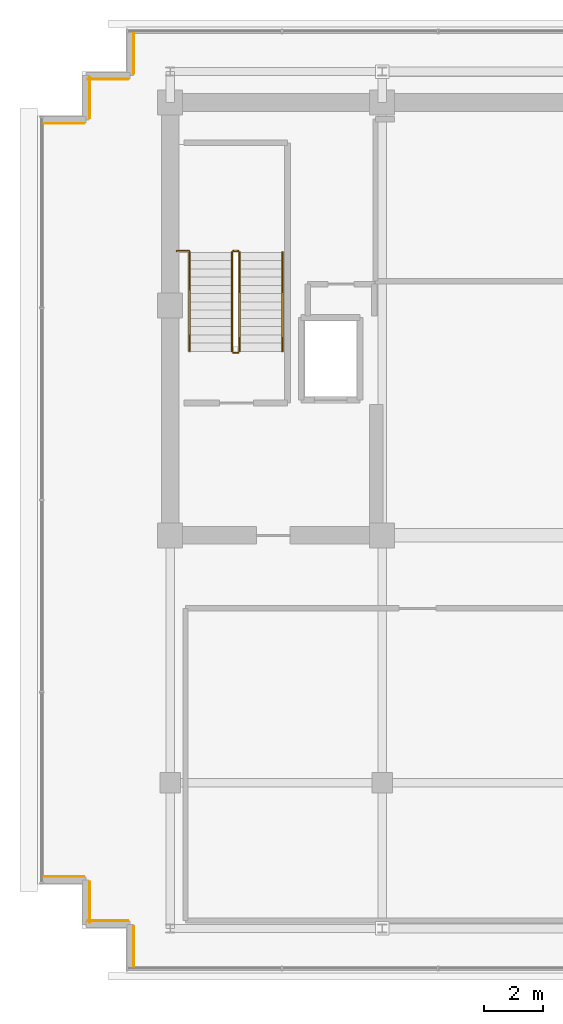
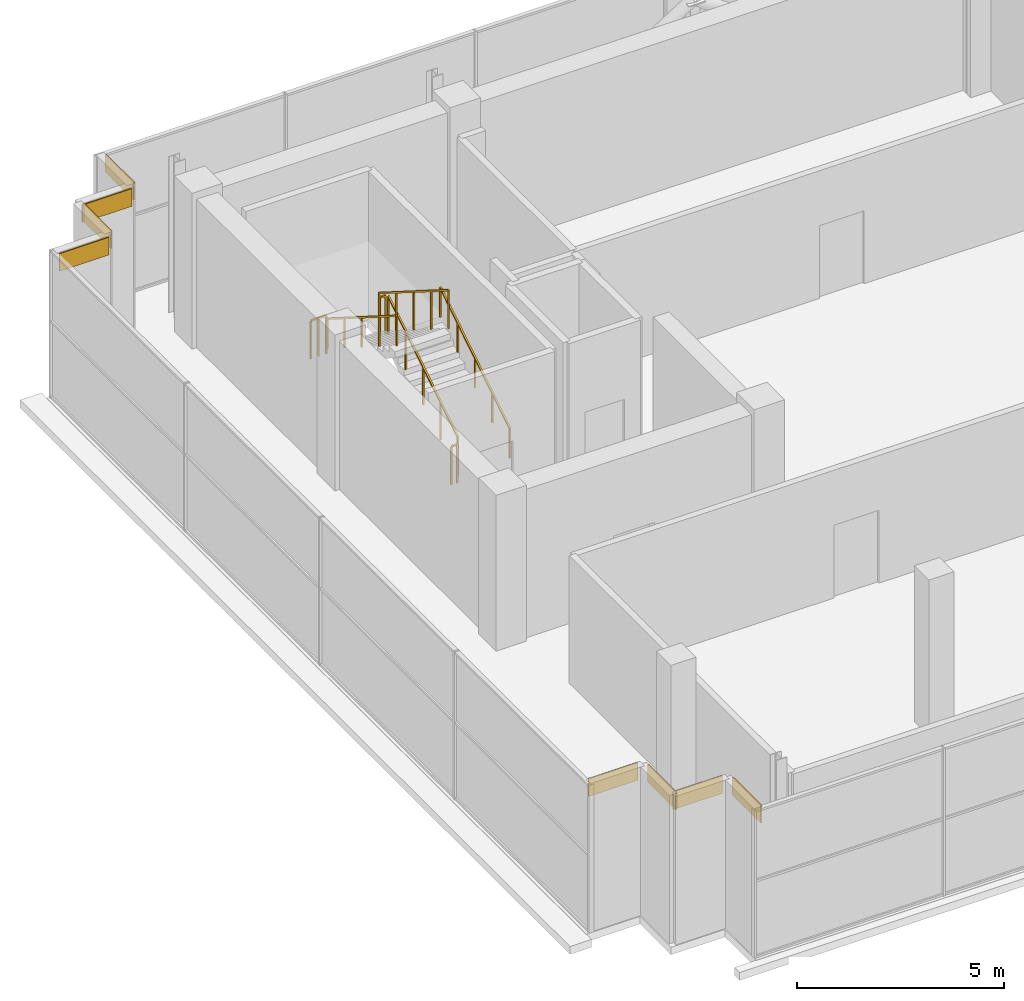
# One storey, part 25 of 26: 8 coverings, 7 railings.
"""IFC4 building model written with IfcOpenShell, lengths in metres."""

from ifc_helpers import new_model, si_unit, direction, frame, origin, origin_2d, place, context, subcontext, project, spatial, rectangle, extrude, source, transform, mapped, material, layer, layer_set, type_object, element, save


model = new_model("IFC4")

# Units and contexts
model_context = context("Model", 3, precision=1e-05, world=origin(), true_north=direction((0.0, 1.0)))
body_context = subcontext(model_context, "Body", "Model", "MODEL_VIEW")
ifc_project = project(units=[si_unit("LENGTHUNIT", "METRE"), si_unit("AREAUNIT", "SQUARE_METRE"), si_unit("VOLUMEUNIT", "CUBIC_METRE"), si_unit("PLANEANGLEUNIT", "RADIAN"), si_unit("MASSUNIT", "GRAM", prefix="KILO")], contexts=[model_context])

# Site, building, storey
site_placement = place(None, origin())
site = spatial("IfcSite", under=ifc_project, at=site_placement, CompositionType="ELEMENT")
building_placement = place(site_placement, origin())
building = spatial("IfcBuilding", under=site, at=building_placement, Name="Zarnakvel Exchange Tower", CompositionType="ELEMENT")
storey_placement = place(building_placement, frame((0.0, 0.0, 285.39990234375)))
storey = spatial("IfcBuildingStorey", under=building, at=storey_placement, Name="Crown L80", CompositionType="ELEMENT", Elevation=285.39990234375)

# Railings
ifc_material_1 = material(Name="Brushed Stainless Steel", Category="steel")
railing_type_1 = type_object("IfcRailingType", Name="HR-01", PredefinedType="HANDRAIL", material=ifc_material_1)
railing_1_placement = place(storey_placement, frame((-10.590087890625, 5.050048828125, 0.177001953125)))
element("IfcRailing", 1, at=railing_1_placement, inside=storey, type_object=railing_type_1, Name="Crown L80 ST-01 stair handrail 1", PredefinedType="HANDRAIL", context=body_context, shape_type="SweptSolid", body=[
    extrude(rectangle(XDim=0.048095703125, YDim=0.048095703125, at=origin_2d()), frame((0.0, 0.0, 0.8759765625), z_axis=(0.0, 0.845372108799, 0.534177870812), x_axis=(-1.0, 0.0, 0.0)), (0.0, 0.0, 1.0), 3.974365234375),
    extrude(rectangle(XDim=0.0419921875, YDim=0.0419921875, at=origin_2d()), origin(), (0.0, 0.0, 1.0), 0.851806640625),
    extrude(rectangle(XDim=0.0419921875, YDim=0.0419921875, at=origin_2d()), frame((0.0, 0.83984375, 0.53076171875)), (0.0, 0.0, 1.0), 0.851806640625),
    extrude(rectangle(XDim=0.0419921875, YDim=0.0419921875, at=origin_2d()), frame((0.0, 1.679931640625, 1.0615234375)), (0.0, 0.0, 1.0), 0.851806640625),
    extrude(rectangle(XDim=0.0419921875, YDim=0.0419921875, at=origin_2d()), frame((0.0, 2.52001953125, 1.59228515625)), (0.0, 0.0, 1.0), 0.851806640625),
    extrude(rectangle(XDim=0.0419921875, YDim=0.0419921875, at=origin_2d()), frame((0.0, 3.35986328125, 2.123046875)), (0.0, 0.0, 1.0), 0.851806640625),
])
railing_2_placement = place(storey_placement, frame((-13.75, 8.409912109375, 2.47705078125)))
element("IfcRailing", 2, at=railing_2_placement, inside=storey, type_object=railing_type_1, Name="Crown L80 ST-01 stair handrail 2", PredefinedType="HANDRAIL", context=body_context, shape_type="SweptSolid", body=[
    extrude(rectangle(XDim=0.048095703125, YDim=0.048095703125, at=origin_2d()), frame((0.0, 0.0, 0.8759765625), z_axis=(0.0, -0.845372108799, 0.534177870812), x_axis=(1.0, 0.0, 0.0)), (0.0, 0.0, 1.0), 3.974365234375),
    extrude(rectangle(XDim=0.0419921875, YDim=0.0419921875, at=origin_2d()), origin(), (0.0, 0.0, 1.0), 0.851806640625),
    extrude(rectangle(XDim=0.0419921875, YDim=0.0419921875, at=origin_2d()), frame((0.0, -0.83984375, 0.53076171875)), (0.0, 0.0, 1.0), 0.851806640625),
    extrude(rectangle(XDim=0.0419921875, YDim=0.0419921875, at=origin_2d()), frame((0.0, -1.679931640625, 1.0615234375)), (0.0, 0.0, 1.0), 0.851806640625),
    extrude(rectangle(XDim=0.0419921875, YDim=0.0419921875, at=origin_2d()), frame((0.0, -2.52001953125, 1.59228515625)), (0.0, 0.0, 1.0), 0.851806640625),
    extrude(rectangle(XDim=0.0419921875, YDim=0.0419921875, at=origin_2d()), frame((0.0, -3.35986328125, 2.123046875)), (0.0, 0.0, 1.0), 0.851806640625),
])
ifc_material_2 = material(Name="Architectural Bronze Anodised Aluminium", Category="aluminium")
railing_type_2 = type_object("IfcRailingType", Name="SG-01", PredefinedType="GUARDRAIL", material=ifc_material_2)
railing_3_placement = place(storey_placement, frame((-12.0400390625, 5.050048828125, 0.177001953125)))
element("IfcRailing", 3, at=railing_3_placement, inside=storey, type_object=railing_type_2, Name="Crown L80 ST-01 stair guard 1", PredefinedType="GUARDRAIL", context=body_context, shape_type="SweptSolid", body=[
    extrude(rectangle(XDim=0.048095703125, YDim=0.048095703125, at=origin_2d()), frame((0.0, 0.0, 1.1259765625), z_axis=(0.0, 0.845372108799, 0.534177870812), x_axis=(-1.0, 0.0, 0.0)), (0.0, 0.0, 1.0), 3.974365234375),
    extrude(rectangle(XDim=0.0419921875, YDim=0.0419921875, at=origin_2d()), origin(), (0.0, 0.0, 1.0), 1.101806640625),
    extrude(rectangle(XDim=0.0419921875, YDim=0.0419921875, at=origin_2d()), frame((0.0, 0.83984375, 0.53076171875)), (0.0, 0.0, 1.0), 1.101806640625),
    extrude(rectangle(XDim=0.0419921875, YDim=0.0419921875, at=origin_2d()), frame((0.0, 1.679931640625, 1.0615234375)), (0.0, 0.0, 1.0), 1.101806640625),
    extrude(rectangle(XDim=0.0419921875, YDim=0.0419921875, at=origin_2d()), frame((0.0, 2.52001953125, 1.59228515625)), (0.0, 0.0, 1.0), 1.101806640625),
    extrude(rectangle(XDim=0.0419921875, YDim=0.0419921875, at=origin_2d()), frame((0.0, 3.35986328125, 2.123046875)), (0.0, 0.0, 1.0), 1.101806640625),
])
railing_4_placement = place(storey_placement, frame((-12.090087890625, 8.4599609375, 2.300048828125)))
element("IfcRailing", 4, at=railing_4_placement, inside=storey, type_object=railing_type_2, Name="Crown L80 ST-01 stair guard 2", PredefinedType="GUARDRAIL", context=body_context, shape_type="SweptSolid", body=[
    extrude(rectangle(XDim=0.048095703125, YDim=0.048095703125, at=origin_2d()), frame((0.0, 0.0, 1.1259765625), z_axis=(-1.0, 0.0, 0.0), x_axis=(0.0, -1.0, 0.0)), (0.0, 0.0, 1.0), 0.159912109375),
    extrude(rectangle(XDim=0.0419921875, YDim=0.0419921875, at=origin_2d()), origin(), (0.0, 0.0, 1.0), 1.101806640625),
    extrude(rectangle(XDim=0.0419921875, YDim=0.0419921875, at=origin_2d()), frame((-0.159912109375, 0.0, 0.0)), (0.0, 0.0, 1.0), 1.101806640625),
])
railing_5_placement = place(storey_placement, frame((-12.300048828125, 8.409912109375, 2.47705078125)))
element("IfcRailing", 5, at=railing_5_placement, inside=storey, type_object=railing_type_2, Name="Crown L80 ST-01 stair guard 3", PredefinedType="GUARDRAIL", context=body_context, shape_type="SweptSolid", body=[
    extrude(rectangle(XDim=0.048095703125, YDim=0.048095703125, at=origin_2d()), frame((0.0, 0.0, 1.1259765625), z_axis=(0.0, -0.845372108799, 0.534177870812), x_axis=(1.0, 0.0, 0.0)), (0.0, 0.0, 1.0), 3.974365234375),
    extrude(rectangle(XDim=0.0419921875, YDim=0.0419921875, at=origin_2d()), origin(), (0.0, 0.0, 1.0), 1.101806640625),
    extrude(rectangle(XDim=0.0419921875, YDim=0.0419921875, at=origin_2d()), frame((0.0, -0.83984375, 0.53076171875)), (0.0, 0.0, 1.0), 1.101806640625),
    extrude(rectangle(XDim=0.0419921875, YDim=0.0419921875, at=origin_2d()), frame((0.0, -1.679931640625, 1.0615234375)), (0.0, 0.0, 1.0), 1.101806640625),
    extrude(rectangle(XDim=0.0419921875, YDim=0.0419921875, at=origin_2d()), frame((0.0, -2.52001953125, 1.59228515625)), (0.0, 0.0, 1.0), 1.101806640625),
    extrude(rectangle(XDim=0.0419921875, YDim=0.0419921875, at=origin_2d()), frame((0.0, -3.35986328125, 2.123046875)), (0.0, 0.0, 1.0), 1.101806640625),
])
railing_6_placement = place(storey_placement, frame((-12.090087890625, 5.0, 0.0)))
element("IfcRailing", 6, at=railing_6_placement, inside=storey, type_object=railing_type_2, Name="Crown L80 ST-01 stair guard 4", PredefinedType="GUARDRAIL", context=body_context, shape_type="SweptSolid", body=[
    extrude(rectangle(XDim=0.048095703125, YDim=0.048095703125, at=origin_2d()), frame((0.0, 0.0, 1.1259765625), z_axis=(-1.0, 0.0, 0.0), x_axis=(0.0, -1.0, 0.0)), (0.0, 0.0, 1.0), 0.159912109375),
    extrude(rectangle(XDim=0.0419921875, YDim=0.0419921875, at=origin_2d()), origin(), (0.0, 0.0, 1.0), 1.101806640625),
    extrude(rectangle(XDim=0.0419921875, YDim=0.0419921875, at=origin_2d()), frame((-0.159912109375, 0.0, 0.0)), (0.0, 0.0, 1.0), 1.101806640625),
])
railing_7_placement = place(storey_placement, frame((-14.179931640625, 8.449951171875, 2.300048828125)))
element("IfcRailing", 7, at=railing_7_placement, inside=storey, type_object=railing_type_2, Name="Crown L80 ST-01 Landing Slot Guardrail", PredefinedType="GUARDRAIL", context=body_context, shape_type="SweptSolid", body=[
    extrude(rectangle(XDim=0.048095703125, YDim=0.048095703125, at=origin_2d()), frame((0.0, 0.0, 1.1259765625), z_axis=(1.0, 0.0, 0.0), x_axis=(0.0, 1.0, 0.0)), (0.0, 0.0, 1.0), 0.429931640625),
    extrude(rectangle(XDim=0.0419921875, YDim=0.0419921875, at=origin_2d()), origin(), (0.0, 0.0, 1.0), 1.101806640625),
    extrude(rectangle(XDim=0.0419921875, YDim=0.0419921875, at=origin_2d()), frame((0.21484375, 0.0, 0.0)), (0.0, 0.0, 1.0), 1.101806640625),
    extrude(rectangle(XDim=0.0419921875, YDim=0.0419921875, at=origin_2d()), frame((0.429931640625, 0.0, 0.0)), (0.0, 0.0, 1.0), 1.101806640625),
])

# Coverings
ifc_material_3 = material(Name="Warm Sandstone Terracotta Spandrel Tile", Category="masonry")
ifc_layer = layer(ifc_material_3, 0.031982421875)
ifc_layer_set = layer_set([ifc_layer], Name="Warm Sandstone Terracotta Spandrel Tile")
covering_type = type_object("IfcCoveringType", Name="CL-02", PredefinedType="CLADDING", material=ifc_layer_set)
shared_shape = source(origin(), body_context, "Body", "SweptSolid", [
    extrude(rectangle(XDim=1.3798828125, YDim=0.031982421875, at=origin_2d()), origin(), (0.0, 0.0, 1.0), 0.52001953125),
])
for number, where, z_axis, x_axis, name in (
    (8, (-18.010009765625, 12.785888671875, 3.840087890625), (0.0, 0.0, 1.0), (-1.0, 0.0, 0.0), "Crown L80 Ceramic Spandrel Tilework CL-02"),
    (9, (-17.135986328125, 13.659912109375, 3.840087890625), (0.0, 0.0, 1.0), (0.0, -1.0, 0.0), "Crown L80 Ceramic Spandrel Tilework CL-02"),
    (10, (-16.510009765625, 14.285888671875, 3.840087890625), (0.0, 0.0, 1.0), (-1.0, 0.0, 0.0), "Crown L80 Ceramic Spandrel Tilework CL-02"),
    (11, (-15.635986328125, 15.159912109375, 3.840087890625), (0.0, 0.0, 1.0), (0.0, -1.0, 0.0), "Crown L80 Ceramic Spandrel Tilework CL-02"),
    (12, (-15.635986328125, -15.159912109375, 3.840087890625), (0.0, 0.0, 1.0), (0.0, -1.0, 0.0), "Crown L80 Ceramic Spandrel Tilework CL-02"),
    (13, (-16.510009765625, -14.285888671875, 3.840087890625), (0.0, 0.0, 1.0), (1.0, 0.0, 0.0), "Crown L80 Ceramic Spandrel Tilework CL-02"),
    (14, (-17.135986328125, -13.659912109375, 3.840087890625), (0.0, 0.0, 1.0), (0.0, -1.0, 0.0), "Crown L80 Ceramic Spandrel Tilework CL-02"),
    (15, (-18.010009765625, -12.785888671875, 3.840087890625), (0.0, 0.0, 1.0), (1.0, 0.0, 0.0), "Crown L80 Ceramic Spandrel Tilework CL-02"),
):
    element("IfcCovering", number, at=place(storey_placement, frame(where, z_axis=z_axis, x_axis=x_axis)), inside=storey, type_object=covering_type, Name=name, PredefinedType="CLADDING", context=body_context, shape_type="MappedRepresentation", body=[
        mapped(shared_shape, transform((0.0, 0.0, 0.0), x_axis=(1.0, 0.0, 0.0), y_axis=(0.0, 1.0, 0.0), z_axis=(0.0, 0.0, 1.0), scale=1.0)),
    ])

save(model, "model.ifc")
